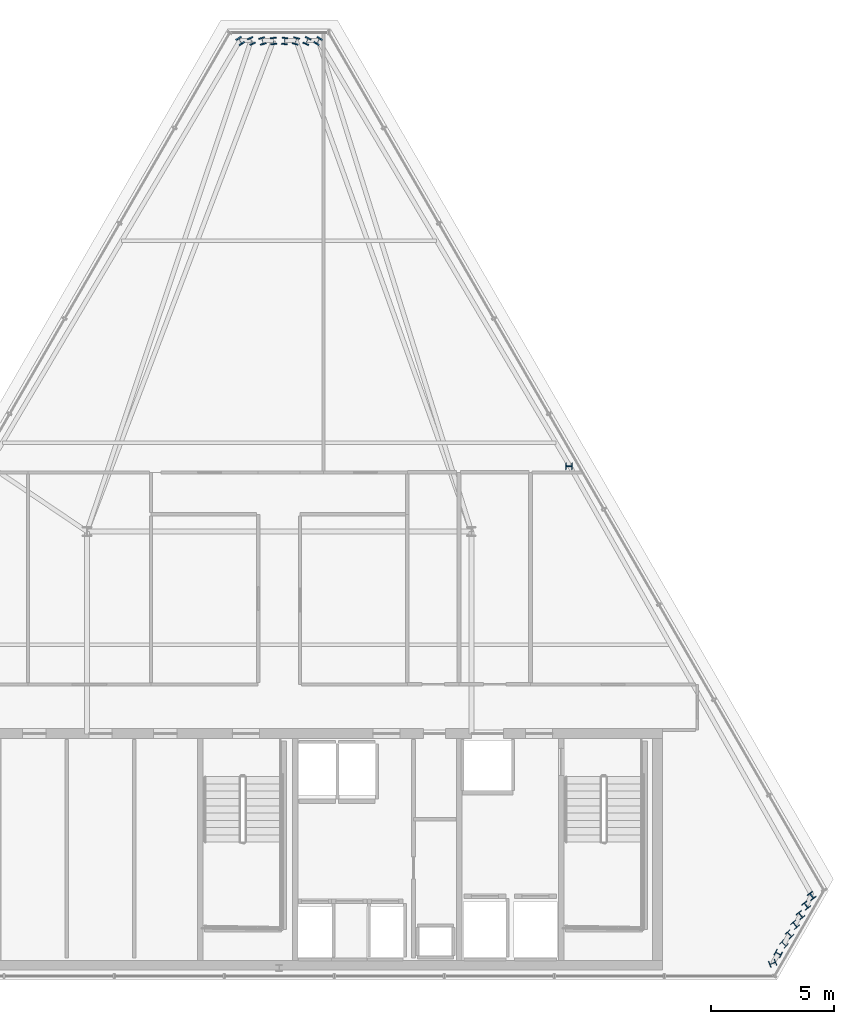
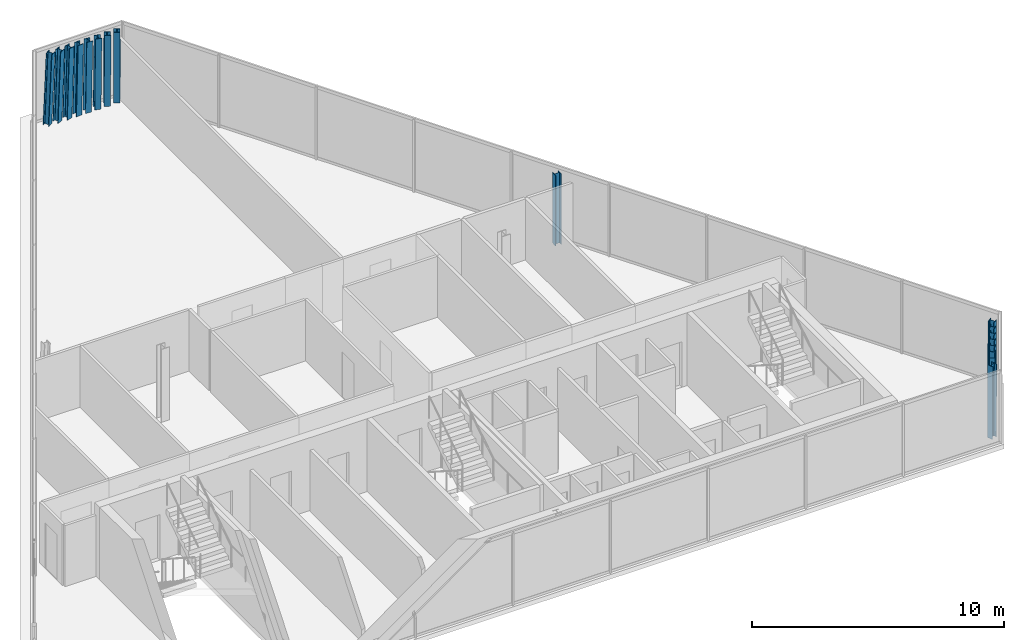
# One storey, part 2 of 32: 17 columns.
"""IFC4 building model written with IfcOpenShell, lengths in metres."""

from ifc_helpers import new_model, si_unit, direction, frame, origin, origin_2d, place, context, subcontext, project, spatial, i_section, extrude, material, material_profile, profile_set, type_object, element, save


model = new_model("IFC4")

# Units and contexts
model_context = context("Model", 3, precision=1e-05, world=origin(), true_north=direction((0.0, 1.0)))
body_context = subcontext(model_context, "Body", "Model", "MODEL_VIEW")
ifc_project = project(units=[si_unit("LENGTHUNIT", "METRE"), si_unit("AREAUNIT", "SQUARE_METRE"), si_unit("VOLUMEUNIT", "CUBIC_METRE"), si_unit("PLANEANGLEUNIT", "RADIAN"), si_unit("MASSUNIT", "GRAM", prefix="KILO")], contexts=[model_context])

# Site, building, storey
site_placement = place(None, origin())
site = spatial("IfcSite", under=ifc_project, at=site_placement, CompositionType="ELEMENT")
building_placement = place(site_placement, origin())
building = spatial("IfcBuilding", under=site, at=building_placement, Name="Ndaravel Arena Tower", CompositionType="ELEMENT")
storey_placement = place(building_placement, frame((0.0, 0.0, 294.699951171875)))
storey = spatial("IfcBuildingStorey", under=building, at=storey_placement, Name="L72", CompositionType="ELEMENT", Elevation=294.699951171875)

# Columns
ifc_material = material(Name="Steel S355", Category="steel")
ifc_material_profile = material_profile(ifc_material, i_section(OverallWidth=0.2587890625, OverallDepth=0.2666015625, WebThickness=0.0126953125, FlangeThickness=0.0205078125, FilletRadius=0.0126953125, at=origin_2d()), Name="UC 254x254x107")
ifc_profile_set = profile_set([ifc_material_profile], Name="Steel S355")
column_type = type_object("IfcColumnType", Name="COL-CRN-UC107", PredefinedType="COLUMN", material=ifc_profile_set)
for number, where, z_axis, x_axis, name in (
    (1, (62.026611328125, 5.67724609375, 0.0), (0.003467853824, -0.002704925983, 0.999990328636), (-0.37534052439, 0.926879163524, 0.003808802441), "L72 Framed Tube Column TC-02"),
    (2, (62.254150390625, 6.07177734375, 0.0), (0.00041613298, -0.008045237605, 0.999967549966), (0.454599327896, 0.890668724508, 0.006976694138), "L72 Framed Tube Column TC-03"),
):
    element("IfcColumn", number, at=place(storey_placement, frame(where, z_axis=z_axis, x_axis=x_axis)), inside=storey, type_object=column_type, Name=name, PredefinedType="COLUMN", context=body_context, shape_type="SweptSolid", body=[
        extrude(i_section(OverallWidth=0.2587890625, OverallDepth=0.2666015625, WebThickness=0.0126953125, FlangeThickness=0.0205078125, FilletRadius=0.0126953125, at=origin_2d()), origin(), (0.0, 0.0, 1.0), 3.52001953125),
    ])
column_1_placement = place(storey_placement, frame((62.48193359375, 6.46630859375, 0.0), z_axis=(-0.002704699938, -0.013384797127, 0.999906761555), x_axis=(0.66161090094, 0.749754069419, 0.011825867702)))
element("IfcColumn", 3, at=column_1_placement, inside=storey, type_object=column_type, Name="L72 Framed Tube Column TC-04", PredefinedType="COLUMN", context=body_context, shape_type="SweptSolid", body=[
    extrude(i_section(OverallWidth=0.2587890625, OverallDepth=0.2666015625, WebThickness=0.0126953125, FlangeThickness=0.0205078125, FilletRadius=0.0126953125, at=origin_2d()), origin(), (0.0, 0.0, 1.0), 3.520263671875),
])
column_2_placement = place(storey_placement, frame((62.709716796875, 6.860595703125, 0.0), z_axis=(-0.005755596019, -0.018653678663, 0.999809438537), x_axis=(0.733059752105, 0.679954104984, 0.016906062815)))
element("IfcColumn", 4, at=column_2_placement, inside=storey, type_object=column_type, Name="L72 Framed Tube Column TC-05", PredefinedType="COLUMN", context=body_context, shape_type="SweptSolid", body=[
    extrude(i_section(OverallWidth=0.2587890625, OverallDepth=0.2666015625, WebThickness=0.0126953125, FlangeThickness=0.0205078125, FilletRadius=0.0126953125, at=origin_2d()), origin(), (0.0, 0.0, 1.0), 3.520751953125),
])
column_3_placement = place(storey_placement, frame((62.9375, 7.255126953125, 0.0), z_axis=(-0.008874872109, -0.024059223607, 0.999671141128), x_axis=(0.768718842118, 0.639201169098, 0.022208268655)))
element("IfcColumn", 5, at=column_3_placement, inside=storey, type_object=column_type, Name="L72 Framed Tube Column TC-06", PredefinedType="COLUMN", context=body_context, shape_type="SweptSolid", body=[
    extrude(i_section(OverallWidth=0.2587890625, OverallDepth=0.2666015625, WebThickness=0.0126953125, FlangeThickness=0.0205078125, FilletRadius=0.0126953125, at=origin_2d()), origin(), (0.0, 0.0, 1.0), 3.521240234375),
])
column_4_placement = place(storey_placement, frame((63.165283203125, 7.649658203125, 0.0), z_axis=(-0.011992842699, -0.029392863031, 0.99949598865), x_axis=(0.789951457202, 0.612552747737, 0.027492299011)))
element("IfcColumn", 6, at=column_4_placement, inside=storey, type_object=column_type, Name="L72 Framed Tube Column TC-07", PredefinedType="COLUMN", context=body_context, shape_type="SweptSolid", body=[
    extrude(i_section(OverallWidth=0.2587890625, OverallDepth=0.2666015625, WebThickness=0.0126953125, FlangeThickness=0.0205078125, FilletRadius=0.0126953125, at=origin_2d()), origin(), (0.0, 0.0, 1.0), 3.521728515625),
])
column_5_placement = place(storey_placement, frame((63.39306640625, 8.044189453125, 0.0), z_axis=(-0.015039815506, -0.034792568591, 0.999281382355), x_axis=(0.80233555176, 0.595969901273, 0.032825891606)))
element("IfcColumn", 7, at=column_5_placement, inside=storey, type_object=column_type, Name="L72 Framed Tube Column TC-08", PredefinedType="COLUMN", context=body_context, shape_type="SweptSolid", body=[
    extrude(i_section(OverallWidth=0.2587890625, OverallDepth=0.2666015625, WebThickness=0.0126953125, FlangeThickness=0.0205078125, FilletRadius=0.0126953125, at=origin_2d()), origin(), (0.0, 0.0, 1.0), 3.5224609375),
])
for number, where, z_axis, x_axis, name in (
    (8, (63.62060546875, 8.438720703125, 0.0), (-0.018084834887, -0.040119231415, 0.999031223745), (0.811379741708, 0.583275624605, 0.038111159608), "L72 Framed Tube Column TC-09"),
    (9, (53.7783203125, 25.880615234375, 0.0), (-0.022172660725, -0.03838641888, 0.999016944782), (-0.000225551712, 0.999262773798, 0.038390858658), "L72 Framed Tube Column TC-10"),
):
    element("IfcColumn", number, at=place(storey_placement, frame(where, z_axis=z_axis, x_axis=x_axis)), inside=storey, type_object=column_type, Name=name, PredefinedType="COLUMN", context=body_context, shape_type="SweptSolid", body=[
        extrude(i_section(OverallWidth=0.2587890625, OverallDepth=0.2666015625, WebThickness=0.0126953125, FlangeThickness=0.0205078125, FilletRadius=0.0126953125, at=origin_2d()), origin(), (0.0, 0.0, 1.0), 3.5234375),
    ])
column_6_placement = place(storey_placement, frame((43.59423828125, 43.12548828125, 0.0), z_axis=(-0.021552704065, -0.034096239229, 0.999186132519), x_axis=(0.845284715511, -0.534316151471, 0.0)))
element("IfcColumn", 10, at=column_6_placement, inside=storey, type_object=column_type, Name="L72 Framed Tube Column TC-11", PredefinedType="COLUMN", context=body_context, shape_type="SweptSolid", body=[
    extrude(i_section(OverallWidth=0.2587890625, OverallDepth=0.2666015625, WebThickness=0.0126953125, FlangeThickness=0.0205078125, FilletRadius=0.0126953125, at=origin_2d()), origin(), (0.0, 0.0, 1.0), 3.52294921875),
])
column_7_placement = place(storey_placement, frame((43.138916015625, 43.12548828125, 0.0), z_axis=(-0.015455933932, -0.03410008742, 0.999298903304), x_axis=(0.910809744164, -0.412826367782, 0.0)))
element("IfcColumn", 11, at=column_7_placement, inside=storey, type_object=column_type, Name="L72 Framed Tube Column TC-12", PredefinedType="COLUMN", context=body_context, shape_type="SweptSolid", body=[
    extrude(i_section(OverallWidth=0.2587890625, OverallDepth=0.2666015625, WebThickness=0.0126953125, FlangeThickness=0.0205078125, FilletRadius=0.0126953125, at=origin_2d()), origin(), (0.0, 0.0, 1.0), 3.5224609375),
])
column_8_placement = place(storey_placement, frame((42.683349609375, 43.12548828125, 0.0), z_axis=(-0.009288131033, -0.034102690061, 0.999375173372), x_axis=(0.964854275814, -0.262785514144, 0.0)))
element("IfcColumn", 12, at=column_8_placement, inside=storey, type_object=column_type, Name="L72 Framed Tube Column TC-13", PredefinedType="COLUMN", context=body_context, shape_type="SweptSolid", body=[
    extrude(i_section(OverallWidth=0.2587890625, OverallDepth=0.2666015625, WebThickness=0.0126953125, FlangeThickness=0.0205078125, FilletRadius=0.0126953125, at=origin_2d()), origin(), (0.0, 0.0, 1.0), 3.522216796875),
])
for number, where, z_axis, x_axis, name in (
    (13, (42.227783203125, 43.12548828125, 0.0), (-0.003119267858, -0.034103995251, 0.999413421801), (0.995843283719, -0.091083227169, 0.0), "L72 Framed Tube Column TC-14"),
    (14, (41.772216796875, 43.12548828125, 0.0), (0.003119267858, -0.034103995251, 0.999413421801), (0.995843283719, 0.091083227169, 0.0), "L72 Framed Tube Column TC-15"),
):
    element("IfcColumn", number, at=place(storey_placement, frame(where, z_axis=z_axis, x_axis=x_axis)), inside=storey, type_object=column_type, Name=name, PredefinedType="COLUMN", context=body_context, shape_type="SweptSolid", body=[
        extrude(i_section(OverallWidth=0.2587890625, OverallDepth=0.2666015625, WebThickness=0.0126953125, FlangeThickness=0.0205078125, FilletRadius=0.0126953125, at=origin_2d()), origin(), (0.0, 0.0, 1.0), 3.52197265625),
    ])
column_9_placement = place(storey_placement, frame((41.316650390625, 43.12548828125, 0.0), z_axis=(0.009288131033, -0.034102690061, 0.999375173372), x_axis=(0.964854275814, 0.262785514144, 0.0)))
element("IfcColumn", 15, at=column_9_placement, inside=storey, type_object=column_type, Name="L72 Framed Tube Column TC-16", PredefinedType="COLUMN", context=body_context, shape_type="SweptSolid", body=[
    extrude(i_section(OverallWidth=0.2587890625, OverallDepth=0.2666015625, WebThickness=0.0126953125, FlangeThickness=0.0205078125, FilletRadius=0.0126953125, at=origin_2d()), origin(), (0.0, 0.0, 1.0), 3.522216796875),
])
column_10_placement = place(storey_placement, frame((40.861083984375, 43.12548828125, 0.0), z_axis=(0.015455933932, -0.03410008742, 0.999298903304), x_axis=(0.910809744164, 0.412826367782, 0.0)))
element("IfcColumn", 16, at=column_10_placement, inside=storey, type_object=column_type, Name="L72 Framed Tube Column TC-17", PredefinedType="COLUMN", context=body_context, shape_type="SweptSolid", body=[
    extrude(i_section(OverallWidth=0.2587890625, OverallDepth=0.2666015625, WebThickness=0.0126953125, FlangeThickness=0.0205078125, FilletRadius=0.0126953125, at=origin_2d()), origin(), (0.0, 0.0, 1.0), 3.5224609375),
])
column_11_placement = place(storey_placement, frame((40.40576171875, 43.12548828125, 0.0), z_axis=(0.021552704065, -0.034096239229, 0.999186132519), x_axis=(0.845284715511, 0.534316151471, 0.0)))
element("IfcColumn", 17, at=column_11_placement, inside=storey, type_object=column_type, Name="L72 Framed Tube Column TC-18", PredefinedType="COLUMN", context=body_context, shape_type="SweptSolid", body=[
    extrude(i_section(OverallWidth=0.2587890625, OverallDepth=0.2666015625, WebThickness=0.0126953125, FlangeThickness=0.0205078125, FilletRadius=0.0126953125, at=origin_2d()), origin(), (0.0, 0.0, 1.0), 3.52294921875),
])

save(model, "model.ifc")
